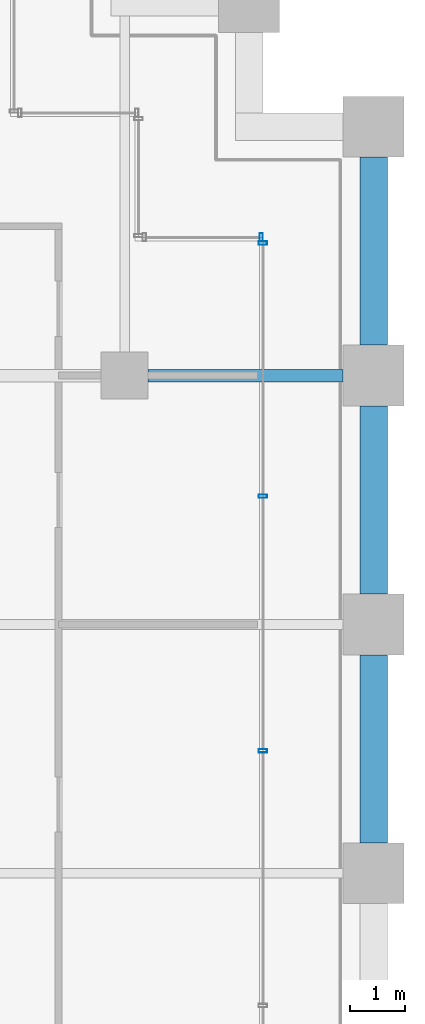
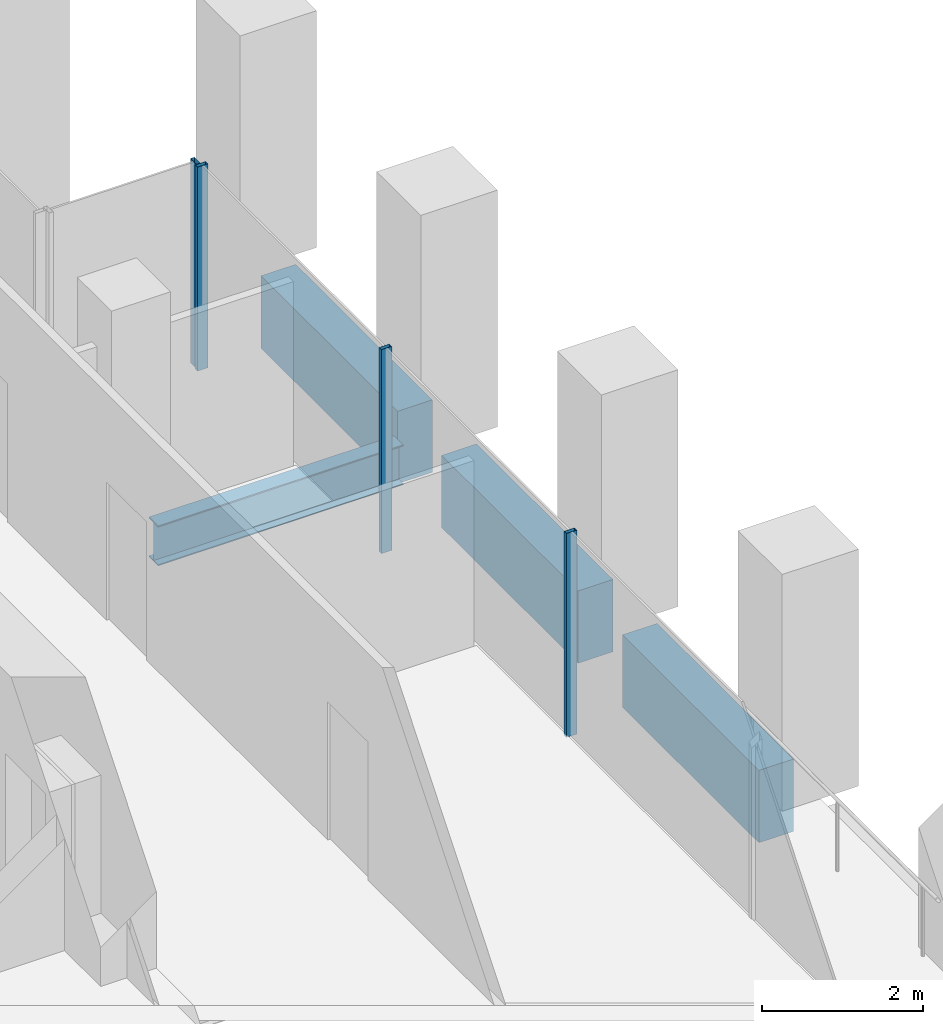
# One storey, part 47 of 56: 4 beams, 4 members, 2 elements without a shape of their own.
"""IFC4 building model written with IfcOpenShell, lengths in metres."""

import ifcopenshell
import ifcopenshell.guid

model = None  # the IFC model being written
_history = None  # IfcOwnerHistory: only IFC2X3 demands one
_inside = {}  # id of a spatial element -> (the spatial element, [elements in it])
_under = {}  # id of a project, library or spatial element -> (it, [spatial elements below it])
_declared = {}  # id of a project -> (the project, [libraries it declares])
_typed = {}  # id of a type object -> (the type object, [elements of that type])
_made_of = {}  # id of a material, layer set ... -> (it, [elements and type objects made of it])


def new_model(schema):
    """Start an empty IFC model of exactly this schema.

    Asked for "IFC4X3", IfcOpenShell would pick the latest addendum, in which some entities
    have other attributes; the version numbers below select the first issue.
    IFC2X3 requires an IfcOwnerHistory on every rooted entity: one is made here for all.
    """
    global model, _history
    if schema == "IFC4X3":
        model = ifcopenshell.file(schema_version=(4, 3, 0, 0))
    else:
        model = ifcopenshell.file(schema=schema)
    _inside.clear()
    _under.clear()
    _declared.clear()
    _typed.clear()
    _made_of.clear()
    _history = None
    if model.schema == "IFC2X3":
        org = make("IfcOrganization", Name="unknown")
        user = make(
            "IfcPersonAndOrganization",
            ThePerson=make("IfcPerson", FamilyName="unknown"),
            TheOrganization=org,
        )
        app = make(
            "IfcApplication",
            ApplicationDeveloper=org,
            Version="unknown",
            ApplicationFullName="unknown",
            ApplicationIdentifier="unknown",
        )
        _history = make(
            "IfcOwnerHistory",
            OwningUser=user,
            OwningApplication=app,
            ChangeAction="ADDED",
            CreationDate=0,
        )
    return model


def make(cls, **values):
    """One entity of the class cls with the attributes given. An attribute that is None is left unset."""
    return model.create_entity(
        cls, **{name: value for name, value in values.items() if value is not None}
    )


def rooted(cls, **values):
    """An entity with a GlobalId (a new one), such as an element, a storey or a relation."""
    return make(cls, GlobalId=ifcopenshell.guid.new(), OwnerHistory=_history, **values)


def si_unit(unit_type, name, prefix=None):
    """IfcSIUnit, for example si_unit("LENGTHUNIT", "METRE", prefix="MILLI")."""
    return make("IfcSIUnit", UnitType=unit_type, Prefix=prefix, Name=name)


def assignment(units):
    """IfcUnitAssignment: the units of a project."""
    return None if units is None else make("IfcUnitAssignment", Units=units)


def point(xyz):
    """IfcCartesianPoint."""
    return None if xyz is None else make("IfcCartesianPoint", Coordinates=xyz)


def direction(xyz):
    """IfcDirection."""
    return None if xyz is None else make("IfcDirection", DirectionRatios=xyz)


def frame(location, z_axis=None, x_axis=None):
    """IfcAxis2Placement3D, a coordinate frame: its origin and axes. An axis left out is left unset."""
    return make(
        "IfcAxis2Placement3D",
        Location=point(location),
        Axis=direction(z_axis),
        RefDirection=direction(x_axis),
    )


def frame_2d(location, x_axis=None):
    """IfcAxis2Placement2D, a coordinate frame in the plane: its origin and x axis."""
    return make(
        "IfcAxis2Placement2D", Location=point(location), RefDirection=direction(x_axis)
    )


def origin():
    """The frame at (0, 0, 0) with its axes left unset."""
    return frame((0.0, 0.0, 0.0))


def origin_2d():
    """The frame at (0, 0) in the plane with its x axis left unset."""
    return frame_2d((0.0, 0.0))


def place(relative_to, where):
    """IfcLocalPlacement: puts the frame where relative to a parent placement (None: the world)."""
    return make(
        "IfcLocalPlacement", PlacementRelTo=relative_to, RelativePlacement=where
    )


def context(
    kind, dimensions, precision=None, world=None, true_north=None, identifier=None
):
    """IfcGeometricRepresentationContext, for example the 3D "Model" context."""
    return make(
        "IfcGeometricRepresentationContext",
        ContextIdentifier=identifier,
        ContextType=kind,
        CoordinateSpaceDimension=dimensions,
        Precision=precision,
        WorldCoordinateSystem=world,
        TrueNorth=true_north,
    )


def subcontext(parent, identifier, kind, view, scale=None):
    """IfcGeometricRepresentationSubContext, for example "Body" below "Model"."""
    return make(
        "IfcGeometricRepresentationSubContext",
        ContextIdentifier=identifier,
        ContextType=kind,
        ParentContext=parent,
        TargetScale=scale,
        TargetView=view,
    )


def project(units=None, contexts=None):
    """IfcProject with its units and contexts."""
    return rooted(
        "IfcProject",
        Name="project",
        RepresentationContexts=contexts,
        UnitsInContext=assignment(units),
    )


def spatial(cls, under=None, at=None, **own):
    """A site, building, storey or space (cls), placed at a placement, below another one or the project."""
    s = rooted(cls, ObjectPlacement=at, **own)
    if under is not None:
        _under.setdefault(under.id(), (under, []))[1].append(s)
    return s


def profile(cls, at=None, kind="AREA", **sizes):
    """A parametric profile (cls). Its sizes go by their IFC names, for example OverallWidth=200.0."""
    return make(cls, ProfileType=kind, Position=at, **sizes)


def rectangle(**sizes):
    """IfcRectangleProfileDef."""
    return profile("IfcRectangleProfileDef", **sizes)


def hollow_rectangle(**sizes):
    """IfcRectangleHollowProfileDef."""
    return profile("IfcRectangleHollowProfileDef", **sizes)


def i_section(**sizes):
    """IfcIShapeProfileDef."""
    return profile("IfcIShapeProfileDef", **sizes)


def extrude(swept, where, along, depth):
    """IfcExtrudedAreaSolid: the profile swept, set in the frame where, extruded along a direction by depth."""
    return make(
        "IfcExtrudedAreaSolid",
        SweptArea=swept,
        Position=where,
        ExtrudedDirection=direction(along),
        Depth=depth,
    )


def shape(context_of_items, identifier, shape_type, items):
    """IfcShapeRepresentation: the items that make up one representation, for example the "Body"."""
    return make(
        "IfcShapeRepresentation",
        ContextOfItems=context_of_items,
        RepresentationIdentifier=identifier,
        RepresentationType=shape_type,
        Items=items,
    )


def material(Name=None, Category=None):
    """IfcMaterial."""
    return make("IfcMaterial", Name=Name, Category=Category)


def material_profile(
    of_material, cross_section, Name=None, Category=None, Priority=None
):
    """IfcMaterialProfile: a cross section and its material."""
    return make(
        "IfcMaterialProfile",
        Name=Name,
        Material=of_material,
        Profile=cross_section,
        Priority=Priority,
        Category=Category,
    )


def profile_set(profiles, Name=None, composite=None):
    """IfcMaterialProfileSet."""
    return make(
        "IfcMaterialProfileSet",
        Name=Name,
        MaterialProfiles=profiles,
        CompositeProfile=composite,
    )


def made_of(thing, what):
    """Note that an element or type object is made of a material, layer set ...; save() writes the relation."""
    if what is not None:
        _made_of.setdefault(what.id(), (what, []))[1].append(thing)
    return thing


def type_object(cls, material=None, **own):
    """A type object (cls), such as IfcWallType, which elements share."""
    return made_of(rooted(cls, **own), material)


def element(
    cls,
    number,
    at=None,
    inside=None,
    cuts=None,
    type_object=None,
    material=None,
    context=None,
    identifier="Body",
    shape_type=None,
    held_by="IfcProductDefinitionShape",
    body=None,
    shapes=None,
    **own,
):
    """One element of the class cls, such as IfcWall. Its Tag is "e" and its number.

    at: its placement. inside: the storey or other place that contains it. cuts: it is an
    opening in that element (IfcRelVoidsElement). A single representation is given by context,
    identifier, shape_type and body (its items); several are given by shapes. held_by: the class
    of the entity that holds the representations. save() writes the other relations.
    """
    e = rooted(cls, Tag="e%d" % number, ObjectPlacement=at, **own)
    if body is not None:
        shapes = [shape(context, identifier, shape_type, body)]
    if shapes is not None:
        e.Representation = make(held_by, Representations=shapes)
    if inside is not None:
        _inside.setdefault(inside.id(), (inside, []))[1].append(e)
    if cuts is not None:
        rooted(
            "IfcRelVoidsElement", RelatingBuildingElement=cuts, RelatedOpeningElement=e
        )
    if type_object is not None:
        _typed.setdefault(type_object.id(), (type_object, []))[1].append(e)
    return made_of(e, material)


def aggregate(whole, parts):
    """IfcRelAggregates: a whole, such as a stair, and the parts it consists of."""
    return rooted("IfcRelAggregates", RelatingObject=whole, RelatedObjects=parts)


def save(model, path):
    """Write the relations noted so far, then the file.

    IfcRelAggregates (storeys below a building ...), IfcRelContainedInSpatialStructure (elements
    in a storey), IfcRelDefinesByType, IfcRelAssociatesMaterial and IfcRelDeclares: one each for
    every whole, place, type object, material and project.
    """
    for whole, parts in _under.values():
        aggregate(whole, parts)
    for where, things in _inside.values():
        rooted(
            "IfcRelContainedInSpatialStructure",
            RelatedElements=things,
            RelatingStructure=where,
        )
    for kind, things in _typed.values():
        rooted("IfcRelDefinesByType", RelatedObjects=things, RelatingType=kind)
    for what, things in _made_of.values():
        rooted("IfcRelAssociatesMaterial", RelatedObjects=things, RelatingMaterial=what)
    for by, libraries in _declared.values():
        rooted("IfcRelDeclares", RelatingContext=by, RelatedDefinitions=libraries)
    model.write(path)


model = new_model("IFC4")

# Units and contexts
model_context = context("Model", 3, precision=1e-05, world=origin(), true_north=direction((0.0, 1.0)))
body_context = subcontext(model_context, "Body", "Model", "MODEL_VIEW")
ifc_project = project(units=[si_unit("LENGTHUNIT", "METRE"), si_unit("AREAUNIT", "SQUARE_METRE"), si_unit("VOLUMEUNIT", "CUBIC_METRE"), si_unit("PLANEANGLEUNIT", "RADIAN"), si_unit("MASSUNIT", "GRAM", prefix="KILO")], contexts=[model_context])

# Site, building, storey
site_placement = place(None, origin())
site = spatial("IfcSite", under=ifc_project, at=site_placement, CompositionType="ELEMENT")
building_placement = place(site_placement, origin())
building = spatial("IfcBuilding", under=site, at=building_placement, Name="Altepetl Exchange Towers", CompositionType="ELEMENT")
storey_placement = place(building_placement, frame((0.0, 0.0, 54.60009765625)))
storey = spatial("IfcBuildingStorey", under=building, at=storey_placement, Name="L12", CompositionType="ELEMENT", Elevation=54.60009765625)

# Beam
ifc_material_1 = material(Name="Steel S355", Category="steel")
ifc_material_profile_1 = material_profile(ifc_material_1, i_section(OverallWidth=0.22802734375, OverallDepth=0.60791015625, WebThickness=0.01123046875, FlangeThickness=0.017333984375, at=origin_2d()), Name="W24X76")
ifc_profile_set_1 = profile_set([ifc_material_profile_1], Name="Steel S355")
beam_type_1 = type_object("IfcBeamType", Name="Girder W24X76", PredefinedType="BEAM", material=ifc_profile_set_1)
beam_1_placement = place(storey_placement, frame((121.925048828125, 49.5, -0.4541015625), z_axis=(1.0, 0.0, 0.0), x_axis=(0.0, 1.0, 0.0)))
element("IfcBeam", 1, at=beam_1_placement, inside=storey, type_object=beam_type_1, Name="gd:B:L12:001", PredefinedType="BEAM", context=body_context, shape_type="SweptSolid", body=[
    extrude(i_section(OverallWidth=0.22802734375, OverallDepth=0.60791015625, WebThickness=0.01123046875, FlangeThickness=0.017333984375, at=origin_2d()), origin(), (0.0, 0.0, 1.0), 3.52490234375),
])

# Curtain wall, members
ifc_material_2 = material(Name="Aluminium 6063-T6 glazing", Category="aluminium")
curtain_wall_type = type_object("IfcCurtainWallType", Name="Loggia glazing system", PredefinedType="NOTDEFINED", material=ifc_material_2)
curtain_wall_1_placement = place(storey_placement, origin())
curtain_wall_1 = element("IfcCurtainWall", 2, at=curtain_wall_1_placement, inside=storey, type_object=curtain_wall_type, Name="CW1 run", PredefinedType="NOTDEFINED")
ifc_material_3 = material(Name="Aluminium 6063-T6", Category="aluminium")
ifc_material_profile_2 = material_profile(ifc_material_3, hollow_rectangle(XDim=0.06005859375, YDim=0.14990234375, WallThickness=0.0029296875, at=origin_2d()), Name="Mullion 60x150 aluminium")
ifc_profile_set_2 = profile_set([ifc_material_profile_2], Name="Aluminium 6063-T6")
member_type = type_object("IfcMemberType", Name="Mullion 60x150 aluminium", PredefinedType="MULLION", material=ifc_profile_set_2)
member_1_placement = place(storey_placement, frame((124.0, 42.71240234375, 0.0), z_axis=(0.0, 0.0, 1.0), x_axis=(0.0, 1.0, 0.0)))
member_1 = element("IfcMember", 3, at=member_1_placement, type_object=member_type, Name="MU1 mullion", PredefinedType="MULLION", context=body_context, shape_type="SweptSolid", body=[
    extrude(hollow_rectangle(XDim=0.06005859375, YDim=0.14990234375, WallThickness=0.0029296875, at=origin_2d()), origin(), (0.0, 0.0, 1.0), 3.099853515625),
])
member_2_placement = place(storey_placement, frame((124.0, 47.31884765625, 0.0), z_axis=(0.0, 0.0, 1.0), x_axis=(0.0, 1.0, 0.0)))
member_2 = element("IfcMember", 4, at=member_2_placement, type_object=member_type, Name="MU1 mullion", PredefinedType="MULLION", context=body_context, shape_type="SweptSolid", body=[
    extrude(hollow_rectangle(XDim=0.06005859375, YDim=0.14990234375, WallThickness=0.0029296875, at=origin_2d()), origin(), (0.0, 0.0, 1.0), 3.099853515625),
])
member_3_placement = place(storey_placement, frame((124.0, 51.89501953125, 0.0), z_axis=(0.0, 0.0, 1.0), x_axis=(0.0, 1.0, 0.0)))
member_3 = element("IfcMember", 5, at=member_3_placement, type_object=member_type, Name="MU1 mullion", PredefinedType="MULLION", context=body_context, shape_type="SweptSolid", body=[
    extrude(hollow_rectangle(XDim=0.06005859375, YDim=0.14990234375, WallThickness=0.0029296875, at=origin_2d()), origin(), (0.0, 0.0, 1.0), 3.099853515625),
])
aggregate(curtain_wall_1, [member_1, member_2, member_3])

# Curtain wall, member
curtain_wall_2_placement = place(storey_placement, origin())
curtain_wall_2 = element("IfcCurtainWall", 6, at=curtain_wall_2_placement, inside=storey, type_object=curtain_wall_type, Name="CW1 run", PredefinedType="NOTDEFINED")
member_4_placement = place(storey_placement, frame((123.969970703125, 52.0, 0.0), z_axis=(0.0, 0.0, 1.0), x_axis=(-1.0, 0.0, 0.0)))
member_4 = element("IfcMember", 7, at=member_4_placement, type_object=member_type, Name="MU1 mullion", PredefinedType="MULLION", context=body_context, shape_type="SweptSolid", body=[
    extrude(hollow_rectangle(XDim=0.06005859375, YDim=0.14990234375, WallThickness=0.0029296875, at=origin_2d()), origin(), (0.0, 0.0, 1.0), 3.099853515625),
])
aggregate(curtain_wall_2, [member_4])

# Beams
ifc_material_4 = material(Name="Concrete C50/60 precast with cantera amarilla facing", Category="concrete")
ifc_material_profile_3 = material_profile(ifc_material_4, rectangle(XDim=0.5, YDim=1.10009765625, at=origin_2d()), Name="500 x 1100")
ifc_profile_set_3 = profile_set([ifc_material_profile_3], Name="Concrete C50/60 precast with cantera amarilla facing")
beam_type_2 = type_object("IfcBeamType", Name="Spandrel beam 500x1100 cantera amarilla", PredefinedType="SPANDREL", material=ifc_profile_set_3)
beam_2_placement = place(storey_placement, frame((126.0, 50.050048828125, -0.7001953125), z_axis=(0.0, 1.0, 0.0), x_axis=(-1.0, 0.0, 0.0)))
element("IfcBeam", 8, at=beam_2_placement, inside=storey, type_object=beam_type_2, Name="sp:B:L12:013", PredefinedType="SPANDREL", context=body_context, shape_type="SweptSolid", body=[
    extrude(rectangle(XDim=0.5, YDim=1.10009765625, at=origin_2d()), origin(), (0.0, 0.0, 1.0), 3.39990234375),
])
ifc_material_5 = material(Name="Concrete C50/60 precast with cantera blanca facing", Category="concrete")
ifc_material_profile_4 = material_profile(ifc_material_5, rectangle(XDim=0.5, YDim=1.10009765625, at=origin_2d()), Name="500 x 1100")
ifc_profile_set_4 = profile_set([ifc_material_profile_4], Name="Concrete C50/60 precast with cantera blanca facing")
beam_type_3 = type_object("IfcBeamType", Name="Spandrel beam 500x1100 cantera blanca", PredefinedType="SPANDREL", material=ifc_profile_set_4)
for number, where, z_axis, x_axis, name in (
    (9, (126.0, 41.050048828125, -0.7001953125), (0.0, 1.0, 0.0), (-1.0, 0.0, 0.0), "sp:B:L12:011"),
    (10, (126.0, 45.550048828125, -0.7001953125), (0.0, 1.0, 0.0), (-1.0, 0.0, 0.0), "sp:B:L12:012"),
):
    element("IfcBeam", number, at=place(storey_placement, frame(where, z_axis=z_axis, x_axis=x_axis)), inside=storey, type_object=beam_type_3, Name=name, PredefinedType="SPANDREL", context=body_context, shape_type="SweptSolid", body=[
        extrude(rectangle(XDim=0.5, YDim=1.10009765625, at=origin_2d()), origin(), (0.0, 0.0, 1.0), 3.39990234375),
    ])

save(model, "model.ifc")
